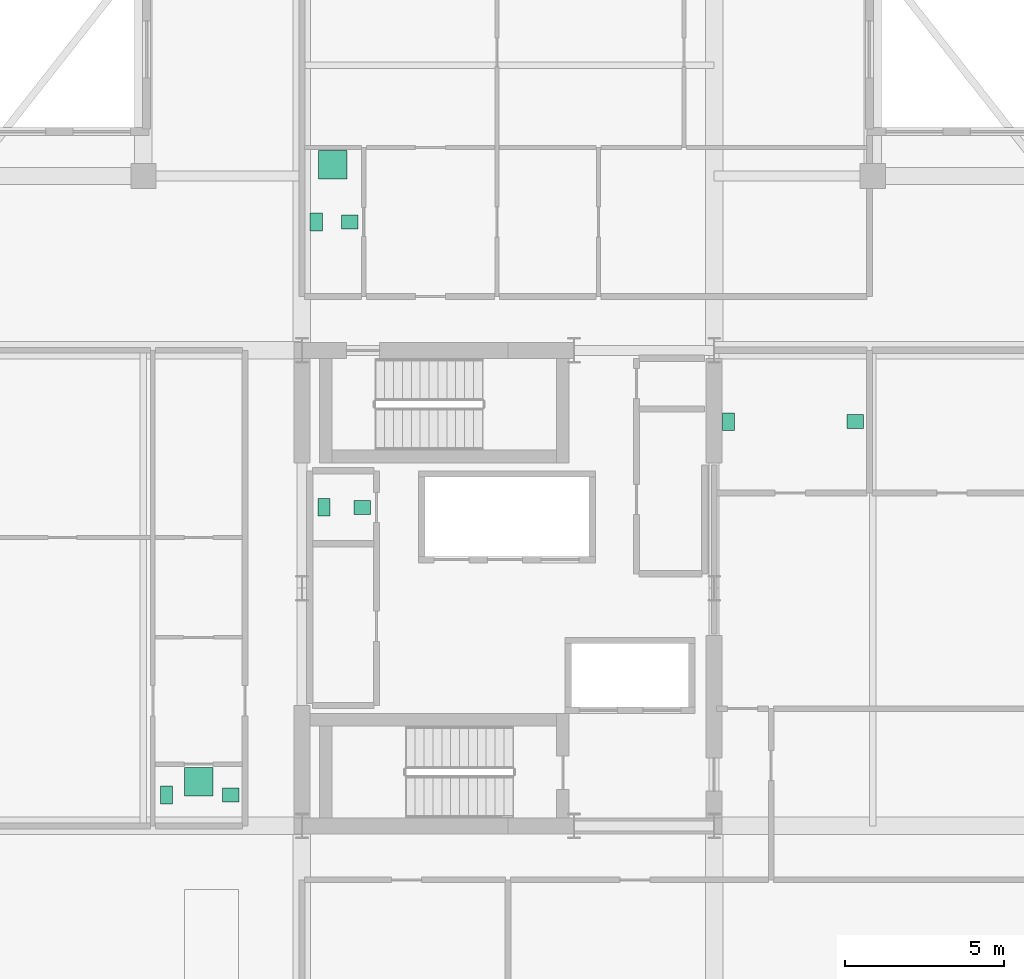
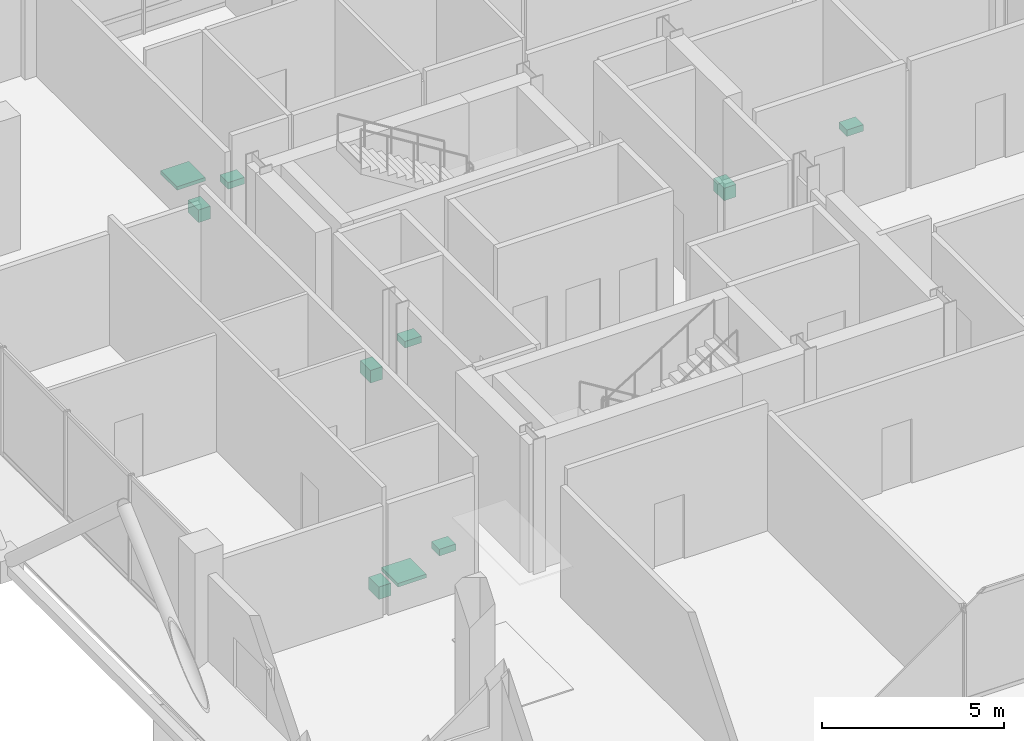
# One storey, part 27 of 27: 10 sanitary terminals.
"""IFC4 building model written with IfcOpenShell, lengths in metres."""

from ifc_helpers import new_model, si_unit, direction, frame, origin, origin_2d, place, context, subcontext, project, spatial, rectangle, extrude, material, type_object, element, save


model = new_model("IFC4")

# Units and contexts
model_context = context("Model", 3, precision=1e-05, world=origin(), true_north=direction((0.0, 1.0)))
body_context = subcontext(model_context, "Body", "Model", "MODEL_VIEW")
ifc_project = project(units=[si_unit("LENGTHUNIT", "METRE"), si_unit("AREAUNIT", "SQUARE_METRE"), si_unit("VOLUMEUNIT", "CUBIC_METRE"), si_unit("PLANEANGLEUNIT", "RADIAN"), si_unit("MASSUNIT", "GRAM", prefix="KILO")], contexts=[model_context])

# Site, building, storey
site_placement = place(None, origin())
site = spatial("IfcSite", under=ifc_project, at=site_placement, CompositionType="ELEMENT")
building_placement = place(site_placement, origin())
building = spatial("IfcBuilding", under=site, at=building_placement, Name="Barlavira Tower and Art Museum", CompositionType="ELEMENT")
storey_placement = place(building_placement, frame((0.0, 0.0, 217.800048828125)))
storey = spatial("IfcBuildingStorey", under=building, at=storey_placement, Name="L56", CompositionType="ELEMENT", Elevation=217.800048828125)

# Sanitary terminals
ifc_material = material(Name="Vitreous glazed ceramic", Category="ceramic")
sanitary_terminal_type_1 = type_object("IfcSanitaryTerminalType", Name="Countertop Ceramic Wash Hand Basin", PredefinedType="WASHHANDBASIN", material=ifc_material)
for number, where, z_axis, x_axis, name in (
    (1, (-4.60009765625, 2.550048828125, 0.73974609375), (0.0, 0.0, 1.0), (1.0, 0.0, 0.0), "L56-C-REC1W Wash Basin"),
    (2, (10.949951171875, 5.25, 0.73974609375), (0.0, 0.0, 1.0), (1.0, 0.0, 0.0), "L56-SKY-AWC Wash Basin"),
    (3, (-5.0, 11.550048828125, 0.73974609375), (0.0, 0.0, 1.0), (1.0, 0.0, 0.0), "L56-SKY-N1-BTH1 Wash Basin"),
    (4, (-8.75, -6.52490234375, 0.73974609375), (0.0, 0.0, 1.0), (1.0, 0.0, 0.0), "L56-SKY-W1-BTH1 Wash Basin"),
):
    element("IfcSanitaryTerminal", number, at=place(storey_placement, frame(where, z_axis=z_axis, x_axis=x_axis)), inside=storey, type_object=sanitary_terminal_type_1, Name=name, PredefinedType="WASHHANDBASIN", context=body_context, shape_type="SweptSolid", body=[
        extrude(rectangle(XDim=0.52001953125, YDim=0.43994140625, at=origin_2d()), origin(), (0.0, 0.0, 1.0), 0.219970703125),
    ])
sanitary_terminal_type_2 = type_object("IfcSanitaryTerminalType", Name="Walk-In Thermostatic Rain Shower Unit", PredefinedType="SHOWER", material=ifc_material)
for number, where, z_axis, x_axis, name in (
    (5, (-5.52490234375, 13.35009765625, 0.0), (0.0, 0.0, 1.0), (1.0, 0.0, 0.0), "L56-SKY-N1-BTH1 Rain Shower"),
    (6, (-9.760009765625, -6.10009765625, 0.0), (0.0, 0.0, 1.0), (1.0, 0.0, 0.0), "L56-SKY-W1-BTH1 Rain Shower"),
):
    element("IfcSanitaryTerminal", number, at=place(storey_placement, frame(where, z_axis=z_axis, x_axis=x_axis)), inside=storey, type_object=sanitary_terminal_type_2, Name=name, PredefinedType="SHOWER", context=body_context, shape_type="SweptSolid", body=[
        extrude(rectangle(XDim=0.89990234375, YDim=0.89990234375, at=origin_2d()), origin(), (0.0, 0.0, 1.0), 0.1201171875),
    ])
sanitary_terminal_type_3 = type_object("IfcSanitaryTerminalType", Name="Wall-Hung Dual-Flush Vitreous WC Pan", PredefinedType="TOILETPAN", material=ifc_material)
for number, where, z_axis, x_axis, name in (
    (7, (-5.800048828125, 2.550048828125, 0.0), (0.0, 0.0, 1.0), (1.0, 0.0, 0.0), "L56-C-REC1W WC Pan"),
    (8, (6.949951171875, 5.25, 0.0), (0.0, 0.0, 1.0), (1.0, 0.0, 0.0), "L56-SKY-AWC WC Pan"),
    (9, (-6.050048828125, 11.550048828125, 0.0), (0.0, 0.0, 1.0), (1.0, 0.0, 0.0), "L56-SKY-N1-BTH1 WC Pan"),
    (10, (-10.77001953125, -6.52490234375, 0.0), (0.0, 0.0, 1.0), (1.0, 0.0, 0.0), "L56-SKY-W1-BTH1 WC Pan"),
):
    element("IfcSanitaryTerminal", number, at=place(storey_placement, frame(where, z_axis=z_axis, x_axis=x_axis)), inside=storey, type_object=sanitary_terminal_type_3, Name=name, PredefinedType="TOILETPAN", context=body_context, shape_type="SweptSolid", body=[
        extrude(rectangle(XDim=0.3798828125, YDim=0.56005859375, at=origin_2d()), origin(), (0.0, 0.0, 1.0), 0.419921875),
    ])

save(model, "model.ifc")
